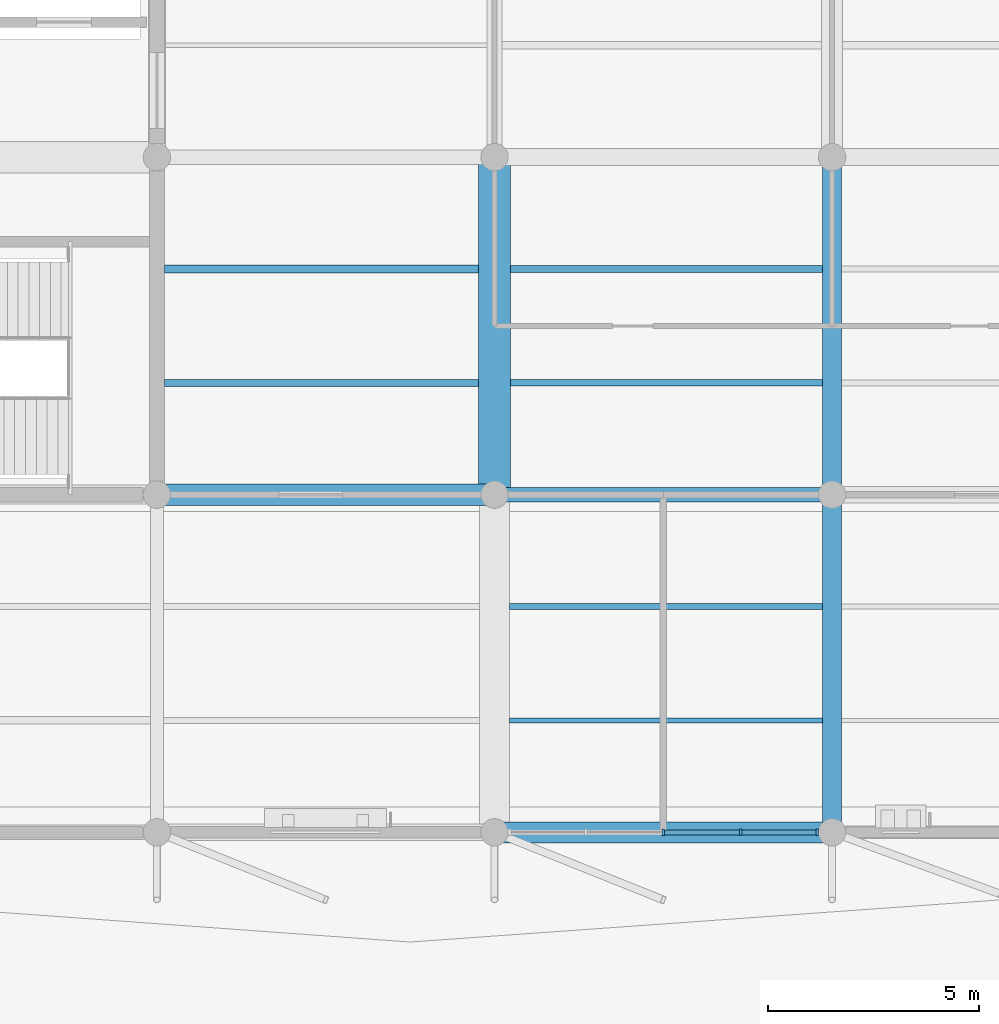
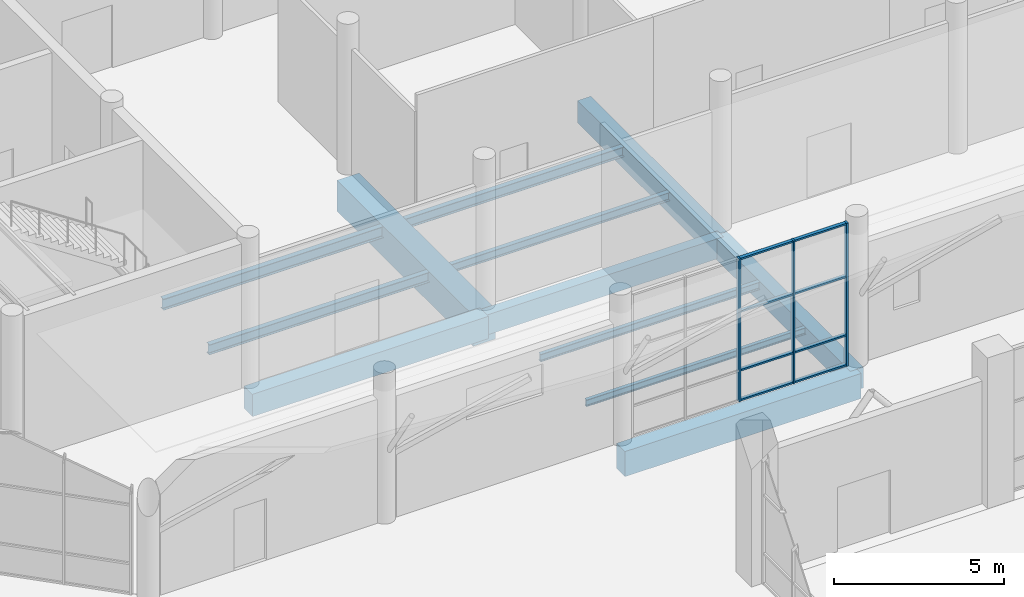
# One storey, part 47 of 123: 12 beams, 11 members, 1 element without a shape of its own.
"""IFC4 building model written with IfcOpenShell, lengths in metres."""

from ifc_helpers import new_model, si_unit, direction, frame, origin, origin_2d, place, context, subcontext, project, spatial, rectangle, i_section, extrude, material, material_profile, profile_set, type_object, element, aggregate, save


model = new_model("IFC4")

# Units and contexts
model_context = context("Model", 3, precision=1e-05, world=origin(), true_north=direction((0.0, 1.0)))
body_context = subcontext(model_context, "Body", "Model", "MODEL_VIEW")
ifc_project = project(units=[si_unit("LENGTHUNIT", "METRE"), si_unit("AREAUNIT", "SQUARE_METRE"), si_unit("VOLUMEUNIT", "CUBIC_METRE"), si_unit("PLANEANGLEUNIT", "RADIAN"), si_unit("MASSUNIT", "GRAM", prefix="KILO")], contexts=[model_context])

# Site, building, storey
site_placement = place(None, origin())
site = spatial("IfcSite", under=ifc_project, at=site_placement, CompositionType="ELEMENT")
building_placement = place(site_placement, origin())
building = spatial("IfcBuilding", under=site, at=building_placement, Name="Tenunan Teduh Sports Hall", CompositionType="ELEMENT")
storey_placement = place(building_placement, origin())
storey = spatial("IfcBuildingStorey", under=building, at=storey_placement, Name="L00", CompositionType="ELEMENT", Elevation=0.0)

# Beams
ifc_material_1 = material(Name="Concrete C40/50", Category="concrete")
ifc_material_profile_1 = material_profile(ifc_material_1, rectangle(XDim=0.449951171875, YDim=0.75, at=origin_2d()), Name="RCB 450x750")
ifc_profile_set_1 = profile_set([ifc_material_profile_1], Name="Concrete C40/50")
beam_type_1 = type_object("IfcBeamType", Name="BM-RC-450x750", PredefinedType="BEAM", material=ifc_profile_set_1)
beam_1_placement = place(storey_placement, frame((130.0, 86.0, -0.655029296875), z_axis=(0.0, 1.0, 0.0), x_axis=(-1.0, 0.0, 0.0)))
element("IfcBeam", 1, at=beam_1_placement, inside=storey, type_object=beam_type_1, Name="BM-B-11-L00-0859", PredefinedType="BEAM", context=body_context, shape_type="SweptSolid", body=[
    extrude(rectangle(XDim=0.449951171875, YDim=0.75, at=origin_2d()), origin(), (0.0, 0.0, 1.0), 8.0),
])
ifc_material_2 = material(Name="Concrete C40/50", Category="concrete")
ifc_material_profile_2 = material_profile(ifc_material_2, rectangle(XDim=0.449951171875, YDim=0.800048828125, at=origin_2d()), Name="RCB 450x800")
ifc_profile_set_2 = profile_set([ifc_material_profile_2], Name="Concrete C40/50")
beam_type_2 = type_object("IfcBeamType", Name="BM-RC-450x800", PredefinedType="BEAM", material=ifc_profile_set_2)
beam_2_placement = place(storey_placement, frame((130.0, 94.0, -0.679931640625), z_axis=(0.0, 1.0, 0.0), x_axis=(-1.0, 0.0, 0.0)))
element("IfcBeam", 2, at=beam_2_placement, inside=storey, type_object=beam_type_2, Name="BM-B-12-L00-0860", PredefinedType="BEAM", context=body_context, shape_type="SweptSolid", body=[
    extrude(rectangle(XDim=0.449951171875, YDim=0.800048828125, at=origin_2d()), origin(), (0.0, 0.0, 1.0), 8.0),
])
ifc_material_3 = material(Name="Concrete C40/50", Category="concrete")
ifc_material_profile_3 = material_profile(ifc_material_3, rectangle(XDim=0.5, YDim=0.800048828125, at=origin_2d()), Name="RCB 500x800")
ifc_profile_set_3 = profile_set([ifc_material_profile_3], Name="Concrete C40/50")
beam_type_3 = type_object("IfcBeamType", Name="BM-RC-500x800", PredefinedType="BEAM", material=ifc_profile_set_3)
beam_3_placement = place(storey_placement, frame((114.0, 94.0, -0.679931640625), z_axis=(1.0, 0.0, 0.0), x_axis=(0.0, 1.0, 0.0)))
element("IfcBeam", 3, at=beam_3_placement, inside=storey, type_object=beam_type_3, Name="BM-B-14-L00-0710", PredefinedType="BEAM", context=body_context, shape_type="SweptSolid", body=[
    extrude(rectangle(XDim=0.5, YDim=0.800048828125, at=origin_2d()), origin(), (0.0, 0.0, 1.0), 8.0),
])
ifc_material_4 = material(Name="Concrete C40/50", Category="concrete")
ifc_material_profile_4 = material_profile(ifc_material_4, rectangle(XDim=0.5, YDim=0.89990234375, at=origin_2d()), Name="RCB 500x900")
ifc_profile_set_4 = profile_set([ifc_material_profile_4], Name="Concrete C40/50")
beam_type_4 = type_object("IfcBeamType", Name="BM-RC-500x900", PredefinedType="BEAM", material=ifc_profile_set_4)
beam_4_placement = place(storey_placement, frame((122.0, 86.0, -0.72998046875), z_axis=(1.0, 0.0, 0.0), x_axis=(0.0, 1.0, 0.0)))
element("IfcBeam", 4, at=beam_4_placement, inside=storey, type_object=beam_type_4, Name="BM-B-15-L00-0694", PredefinedType="BEAM", context=body_context, shape_type="SweptSolid", body=[
    extrude(rectangle(XDim=0.5, YDim=0.89990234375, at=origin_2d()), origin(), (0.0, 0.0, 1.0), 8.0),
])
ifc_material_5 = material(Name="Concrete C40/50", Category="concrete")
ifc_material_profile_5 = material_profile(ifc_material_5, rectangle(XDim=0.75, YDim=1.10009765625, at=origin_2d()), Name="RCB 750x1100")
ifc_profile_set_5 = profile_set([ifc_material_profile_5], Name="Concrete C40/50")
beam_type_5 = type_object("IfcBeamType", Name="BM-RC-750x1100", PredefinedType="SPANDREL", material=ifc_profile_set_5)
beam_5_placement = place(storey_placement, frame((122.0, 94.0, -0.830078125), z_axis=(0.0, 1.0, 0.0), x_axis=(-1.0, 0.0, 0.0)))
element("IfcBeam", 5, at=beam_5_placement, inside=storey, type_object=beam_type_5, Name="BM-B-20-L00-0855", PredefinedType="SPANDREL", context=body_context, shape_type="SweptSolid", body=[
    extrude(rectangle(XDim=0.75, YDim=1.10009765625, at=origin_2d()), origin(), (0.0, 0.0, 1.0), 8.0),
])
ifc_material_6 = material(Name="Concrete C40/50", Category="concrete")
ifc_material_profile_6 = material_profile(ifc_material_6, rectangle(XDim=0.35009765625, YDim=0.719970703125, at=origin_2d()), Name="TB 350x720")
ifc_profile_set_6 = profile_set([ifc_material_profile_6], Name="Concrete C40/50")
beam_type_6 = type_object("IfcBeamType", Name="BM-TB-350x720", PredefinedType="T_BEAM", material=ifc_profile_set_6)
beam_6_placement = place(storey_placement, frame((122.0, 94.0, -0.639892578125), z_axis=(1.0, 0.0, 0.0), x_axis=(0.0, 1.0, 0.0)))
element("IfcBeam", 6, at=beam_6_placement, inside=storey, type_object=beam_type_6, Name="BM-TB-01-L00-0711", PredefinedType="T_BEAM", context=body_context, shape_type="SweptSolid", body=[
    extrude(rectangle(XDim=0.35009765625, YDim=0.719970703125, at=origin_2d()), origin(), (0.0, 0.0, 1.0), 8.0),
])

# Curtain wall, members
ifc_material_7 = material(Name="Anodised aluminium", Category="aluminium")
curtain_wall_type = type_object("IfcCurtainWallType", Name="CW-UNIT-1", PredefinedType="NOTDEFINED", material=ifc_material_7)
curtain_wall_placement = place(storey_placement, origin())
curtain_wall = element("IfcCurtainWall", 7, at=curtain_wall_placement, inside=storey, type_object=curtain_wall_type, Name="CW-CWM-150-L00-235", PredefinedType="NOTDEFINED")
ifc_material_8 = material(Name="Anodised aluminium", Category="aluminium")
ifc_material_profile_7 = material_profile(ifc_material_8, rectangle(XDim=0.06005859375, YDim=0.14990234375, at=origin_2d()), Name="CWM 60x150")
ifc_profile_set_7 = profile_set([ifc_material_profile_7], Name="Anodised aluminium")
member_type_1 = type_object("IfcMemberType", Name="CWM-150", PredefinedType="MULLION", material=ifc_profile_set_7)
member_1_placement = place(storey_placement, frame((126.0, 86.0, 0.0), z_axis=(0.0, 0.0, 1.0), x_axis=(1.0, 0.0, 0.0)))
member_1 = element("IfcMember", 8, at=member_1_placement, type_object=member_type_1, Name="CW-01 mullion 3", PredefinedType="MULLION", context=body_context, shape_type="SweptSolid", body=[
    extrude(rectangle(XDim=0.06005859375, YDim=0.14990234375, at=origin_2d()), origin(), (0.0, 0.0, 1.0), 5.1201171875),
])
member_2_placement = place(storey_placement, frame((127.83740234375, 86.0, 0.0), z_axis=(0.0, 0.0, 1.0), x_axis=(1.0, 0.0, 0.0)))
member_2 = element("IfcMember", 9, at=member_2_placement, type_object=member_type_1, Name="CW-01 mullion 4", PredefinedType="MULLION", context=body_context, shape_type="SweptSolid", body=[
    extrude(rectangle(XDim=0.06005859375, YDim=0.14990234375, at=origin_2d()), origin(), (0.0, 0.0, 1.0), 5.1201171875),
])
member_3_placement = place(storey_placement, frame((129.64501953125, 86.0, 0.0), z_axis=(0.0, 0.0, 1.0), x_axis=(1.0, 0.0, 0.0)))
member_3 = element("IfcMember", 10, at=member_3_placement, type_object=member_type_1, Name="CW-01 mullion 5", PredefinedType="MULLION", context=body_context, shape_type="SweptSolid", body=[
    extrude(rectangle(XDim=0.06005859375, YDim=0.14990234375, at=origin_2d()), origin(), (0.0, 0.0, 1.0), 5.1201171875),
])
ifc_material_9 = material(Name="Anodised aluminium", Category="aluminium")
ifc_material_profile_8 = material_profile(ifc_material_9, rectangle(XDim=0.06005859375, YDim=0.1201171875, at=origin_2d()), Name="CWT 60x120")
ifc_profile_set_8 = profile_set([ifc_material_profile_8], Name="Anodised aluminium")
member_type_2 = type_object("IfcMemberType", Name="CWT-125", PredefinedType="USERDEFINED", material=ifc_profile_set_8)
member_4_placement = place(storey_placement, frame((126.030029296875, 86.0, 0.030029296875), z_axis=(1.0, 0.0, 0.0), x_axis=(0.0, 0.0, 1.0)))
member_4 = element("IfcMember", 11, at=member_4_placement, type_object=member_type_2, Name="CW-01 transom 3.1", ObjectType="TRANSOM", PredefinedType="USERDEFINED", context=body_context, shape_type="SweptSolid", body=[
    extrude(rectangle(XDim=0.06005859375, YDim=0.1201171875, at=origin_2d()), origin(), (0.0, 0.0, 1.0), 1.777587890625),
])
member_5_placement = place(storey_placement, frame((126.030029296875, 86.0, 1.10009765625), z_axis=(1.0, 0.0, 0.0), x_axis=(0.0, 0.0, 1.0)))
member_5 = element("IfcMember", 12, at=member_5_placement, type_object=member_type_2, Name="CW-01 transom 3.2", ObjectType="TRANSOM", PredefinedType="USERDEFINED", context=body_context, shape_type="SweptSolid", body=[
    extrude(rectangle(XDim=0.06005859375, YDim=0.1201171875, at=origin_2d()), origin(), (0.0, 0.0, 1.0), 1.777587890625),
])
member_6_placement = place(storey_placement, frame((126.030029296875, 86.0, 3.199951171875), z_axis=(1.0, 0.0, 0.0), x_axis=(0.0, 0.0, 1.0)))
member_6 = element("IfcMember", 13, at=member_6_placement, type_object=member_type_2, Name="CW-01 transom 3.3", ObjectType="TRANSOM", PredefinedType="USERDEFINED", context=body_context, shape_type="SweptSolid", body=[
    extrude(rectangle(XDim=0.06005859375, YDim=0.1201171875, at=origin_2d()), origin(), (0.0, 0.0, 1.0), 1.777587890625),
])
member_7_placement = place(storey_placement, frame((126.030029296875, 86.0, 5.090087890625), z_axis=(1.0, 0.0, 0.0), x_axis=(0.0, 0.0, 1.0)))
member_7 = element("IfcMember", 14, at=member_7_placement, type_object=member_type_2, Name="CW-01 transom 3.4", ObjectType="TRANSOM", PredefinedType="USERDEFINED", context=body_context, shape_type="SweptSolid", body=[
    extrude(rectangle(XDim=0.06005859375, YDim=0.1201171875, at=origin_2d()), origin(), (0.0, 0.0, 1.0), 1.777587890625),
])
member_8_placement = place(storey_placement, frame((127.867431640625, 86.0, 0.030029296875), z_axis=(1.0, 0.0, 0.0), x_axis=(0.0, 0.0, 1.0)))
member_8 = element("IfcMember", 15, at=member_8_placement, type_object=member_type_2, Name="CW-01 transom 4.1", ObjectType="TRANSOM", PredefinedType="USERDEFINED", context=body_context, shape_type="SweptSolid", body=[
    extrude(rectangle(XDim=0.06005859375, YDim=0.1201171875, at=origin_2d()), origin(), (0.0, 0.0, 1.0), 1.74755859375),
])
member_9_placement = place(storey_placement, frame((127.867431640625, 86.0, 1.10009765625), z_axis=(1.0, 0.0, 0.0), x_axis=(0.0, 0.0, 1.0)))
member_9 = element("IfcMember", 16, at=member_9_placement, type_object=member_type_2, Name="CW-01 transom 4.2", ObjectType="TRANSOM", PredefinedType="USERDEFINED", context=body_context, shape_type="SweptSolid", body=[
    extrude(rectangle(XDim=0.06005859375, YDim=0.1201171875, at=origin_2d()), origin(), (0.0, 0.0, 1.0), 1.74755859375),
])
member_10_placement = place(storey_placement, frame((127.867431640625, 86.0, 3.199951171875), z_axis=(1.0, 0.0, 0.0), x_axis=(0.0, 0.0, 1.0)))
member_10 = element("IfcMember", 17, at=member_10_placement, type_object=member_type_2, Name="CW-01 transom 4.3", ObjectType="TRANSOM", PredefinedType="USERDEFINED", context=body_context, shape_type="SweptSolid", body=[
    extrude(rectangle(XDim=0.06005859375, YDim=0.1201171875, at=origin_2d()), origin(), (0.0, 0.0, 1.0), 1.74755859375),
])
member_11_placement = place(storey_placement, frame((127.867431640625, 86.0, 5.090087890625), z_axis=(1.0, 0.0, 0.0), x_axis=(0.0, 0.0, 1.0)))
member_11 = element("IfcMember", 18, at=member_11_placement, type_object=member_type_2, Name="CW-01 transom 4.4", ObjectType="TRANSOM", PredefinedType="USERDEFINED", context=body_context, shape_type="SweptSolid", body=[
    extrude(rectangle(XDim=0.06005859375, YDim=0.1201171875, at=origin_2d()), origin(), (0.0, 0.0, 1.0), 1.74755859375),
])
aggregate(curtain_wall, [member_1, member_2, member_3, member_4, member_5, member_6, member_7, member_8, member_9, member_10, member_11])

# Beams
ifc_material_10 = material(Name="Steel S355", Category="steel")
ifc_material_profile_9 = material_profile(ifc_material_10, i_section(OverallWidth=0.1201171875, OverallDepth=0.239990234375, WebThickness=0.006103515625, FlangeThickness=0.009765625, FilletRadius=0.014892578125, at=origin_2d()), Name="IPE 240")
ifc_profile_set_9 = profile_set([ifc_material_profile_9], Name="Steel S355")
beam_type_7 = type_object("IfcBeamType", Name="JST-IPE240", PredefinedType="JOIST", material=ifc_profile_set_9)
beam_7_placement = place(storey_placement, frame((122.35009765625, 88.64990234375, -0.39990234375), z_axis=(1.0, 0.0, 0.0), x_axis=(0.0, 1.0, 0.0)))
element("IfcBeam", 19, at=beam_7_placement, inside=storey, type_object=beam_type_7, Name="BM-J-02-L00-1002", PredefinedType="JOIST", context=body_context, shape_type="SweptSolid", body=[
    extrude(i_section(OverallWidth=0.1201171875, OverallDepth=0.239990234375, WebThickness=0.006103515625, FlangeThickness=0.009765625, FilletRadius=0.014892578125, at=origin_2d()), origin(), (0.0, 0.0, 1.0), 7.4248046875),
])
ifc_material_11 = material(Name="Steel S355", Category="steel")
ifc_material_profile_10 = material_profile(ifc_material_11, i_section(OverallWidth=0.135009765625, OverallDepth=0.27001953125, WebThickness=0.006591796875, FlangeThickness=0.01025390625, FilletRadius=0.014892578125, at=origin_2d()), Name="IPE 270")
ifc_profile_set_10 = profile_set([ifc_material_profile_10], Name="Steel S355")
beam_type_8 = type_object("IfcBeamType", Name="JST-IPE270", PredefinedType="JOIST", material=ifc_profile_set_10)
beam_8_placement = place(storey_placement, frame((122.35009765625, 91.35009765625, -0.4150390625), z_axis=(1.0, 0.0, 0.0), x_axis=(0.0, 1.0, 0.0)))
element("IfcBeam", 20, at=beam_8_placement, inside=storey, type_object=beam_type_8, Name="BM-J-03-L00-1003", PredefinedType="JOIST", context=body_context, shape_type="SweptSolid", body=[
    extrude(i_section(OverallWidth=0.135009765625, OverallDepth=0.27001953125, WebThickness=0.006591796875, FlangeThickness=0.01025390625, FilletRadius=0.014892578125, at=origin_2d()), origin(), (0.0, 0.0, 1.0), 7.4248046875),
])
ifc_material_12 = material(Name="Steel S355", Category="steel")
ifc_material_profile_11 = material_profile(ifc_material_12, i_section(OverallWidth=0.14990234375, OverallDepth=0.300048828125, WebThickness=0.007080078125, FlangeThickness=0.0107421875, FilletRadius=0.014892578125, at=origin_2d()), Name="IPE 300")
ifc_profile_set_11 = profile_set([ifc_material_profile_11], Name="Steel S355")
beam_type_9 = type_object("IfcBeamType", Name="JST-IPE300", PredefinedType="JOIST", material=ifc_profile_set_11)
beam_9_placement = place(storey_placement, frame((122.375, 96.64990234375, -0.429931640625), z_axis=(1.0, 0.0, 0.0), x_axis=(0.0, 1.0, 0.0)))
element("IfcBeam", 21, at=beam_9_placement, inside=storey, type_object=beam_type_9, Name="BM-J-04-L00-1004", PredefinedType="JOIST", context=body_context, shape_type="SweptSolid", body=[
    extrude(i_section(OverallWidth=0.14990234375, OverallDepth=0.300048828125, WebThickness=0.007080078125, FlangeThickness=0.0107421875, FilletRadius=0.014892578125, at=origin_2d()), origin(), (0.0, 0.0, 1.0), 7.39990234375),
])
ifc_material_13 = material(Name="Steel S355", Category="steel")
ifc_material_profile_12 = material_profile(ifc_material_13, i_section(OverallWidth=0.169921875, OverallDepth=0.360107421875, WebThickness=0.008056640625, FlangeThickness=0.0126953125, FilletRadius=0.01806640625, at=origin_2d()), Name="IPE 360")
ifc_profile_set_12 = profile_set([ifc_material_profile_12], Name="Steel S355")
beam_type_10 = type_object("IfcBeamType", Name="JST-IPE360", PredefinedType="JOIST", material=ifc_profile_set_12)
beam_10_placement = place(storey_placement, frame((114.175048828125, 96.64990234375, -0.4599609375), z_axis=(1.0, 0.0, 0.0), x_axis=(0.0, 1.0, 0.0)))
element("IfcBeam", 22, at=beam_10_placement, inside=storey, type_object=beam_type_10, Name="BM-J-05-L00-0994", PredefinedType="JOIST", context=body_context, shape_type="SweptSolid", body=[
    extrude(i_section(OverallWidth=0.169921875, OverallDepth=0.360107421875, WebThickness=0.008056640625, FlangeThickness=0.0126953125, FilletRadius=0.01806640625, at=origin_2d()), origin(), (0.0, 0.0, 1.0), 7.449951171875),
])
beam_11_placement = place(storey_placement, frame((122.375, 99.35009765625, -0.4599609375), z_axis=(1.0, 0.0, 0.0), x_axis=(0.0, 1.0, 0.0)))
element("IfcBeam", 23, at=beam_11_placement, inside=storey, type_object=beam_type_10, Name="BM-J-05-L00-1005", PredefinedType="JOIST", context=body_context, shape_type="SweptSolid", body=[
    extrude(i_section(OverallWidth=0.169921875, OverallDepth=0.360107421875, WebThickness=0.008056640625, FlangeThickness=0.0126953125, FilletRadius=0.01806640625, at=origin_2d()), origin(), (0.0, 0.0, 1.0), 7.39990234375),
])
ifc_material_14 = material(Name="Steel S355", Category="steel")
ifc_material_profile_13 = material_profile(ifc_material_14, i_section(OverallWidth=0.179931640625, OverallDepth=0.39990234375, WebThickness=0.008544921875, FlangeThickness=0.013427734375, FilletRadius=0.02099609375, at=origin_2d()), Name="IPE 400")
ifc_profile_set_13 = profile_set([ifc_material_profile_13], Name="Steel S355")
beam_type_11 = type_object("IfcBeamType", Name="JST-IPE400", PredefinedType="JOIST", material=ifc_profile_set_13)
beam_12_placement = place(storey_placement, frame((114.175048828125, 99.35009765625, -0.47998046875), z_axis=(1.0, 0.0, 0.0), x_axis=(0.0, 1.0, 0.0)))
element("IfcBeam", 24, at=beam_12_placement, inside=storey, type_object=beam_type_11, Name="BM-J-06-L00-0995", PredefinedType="JOIST", context=body_context, shape_type="SweptSolid", body=[
    extrude(i_section(OverallWidth=0.179931640625, OverallDepth=0.39990234375, WebThickness=0.008544921875, FlangeThickness=0.013427734375, FilletRadius=0.02099609375, at=origin_2d()), origin(), (0.0, 0.0, 1.0), 7.449951171875),
])

save(model, "model.ifc")
